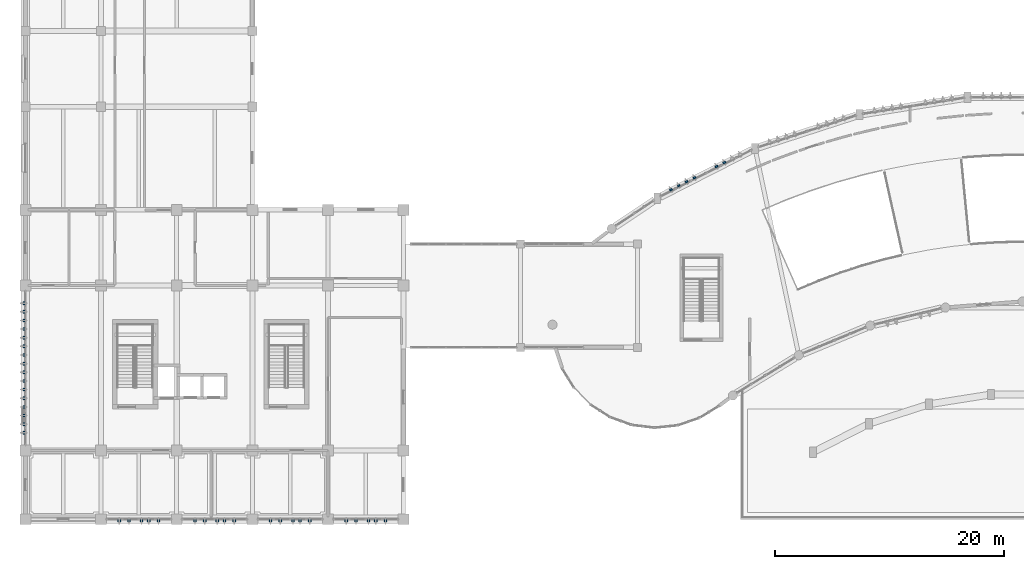
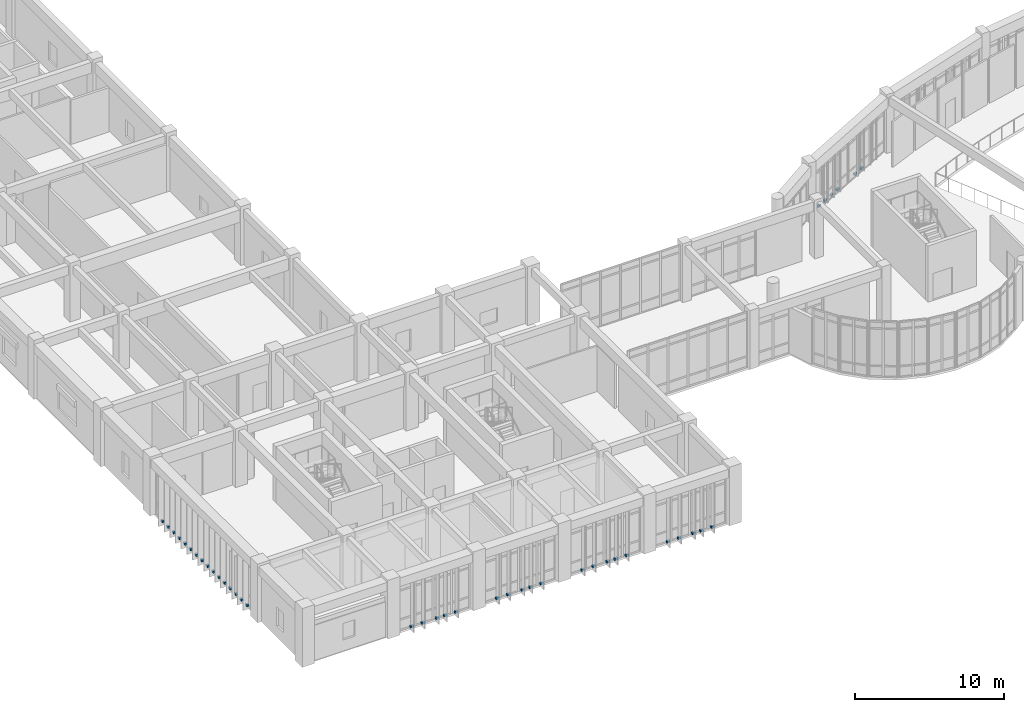
# One storey, part 56 of 65: 42 discrete accessories.
"""IFC4 building model written with IfcOpenShell, lengths in metres."""

from ifc_helpers import new_model, si_unit, direction, frame, origin, origin_2d, place, context, subcontext, project, spatial, rectangle, extrude, material, type_object, element, save


model = new_model("IFC4")

# Units and contexts
model_context = context("Model", 3, precision=1e-05, world=origin(), true_north=direction((0.0, 1.0)))
body_context = subcontext(model_context, "Body", "Model", "MODEL_VIEW")
ifc_project = project(units=[si_unit("LENGTHUNIT", "METRE"), si_unit("AREAUNIT", "SQUARE_METRE"), si_unit("VOLUMEUNIT", "CUBIC_METRE"), si_unit("PLANEANGLEUNIT", "RADIAN"), si_unit("MASSUNIT", "GRAM", prefix="KILO")], contexts=[model_context])

# Site, building, storey
site_placement = place(None, origin())
site = spatial("IfcSite", under=ifc_project, at=site_placement, CompositionType="ELEMENT")
building_placement = place(site_placement, origin())
building = spatial("IfcBuilding", under=site, at=building_placement, Name="Miralva Faculty of Natural Sciences", CompositionType="ELEMENT")
storey_placement = place(building_placement, frame((0.0, 0.0, 10.199951171875)))
storey = spatial("IfcBuildingStorey", under=building, at=storey_placement, Name="L02", CompositionType="ELEMENT", Elevation=10.199951171875)

# Discrete accessories
ifc_material = material(Name="Steel S355", Category="steel")
discrete_accessory_type = type_object("IfcDiscreteAccessoryType", Name="ACC-BRK01", PredefinedType="BRACKET", material=ifc_material)
for number, where, z_axis, x_axis, name in (
    (1, (59.319580078125, 31.753173828125, 0.0400390625), (0.0, 0.0, 1.0), (-0.45399049974, 0.891006524188, 0.0), "Solar fin bracket L02-37"),
    (2, (60.003662109375, 32.1015625, 0.0400390625), (0.0, 0.0, 1.0), (-0.45399049974, 0.891006524188, 0.0), "Solar fin bracket L02-38"),
    (3, (60.6875, 32.4501953125, 0.0400390625), (0.0, 0.0, 1.0), (-0.45399049974, 0.891006524188, 0.0), "Solar fin bracket L02-39"),
    (4, (61.37158203125, 32.798583984375, 0.0400390625), (0.0, 0.0, 1.0), (-0.45399049974, 0.891006524188, 0.0), "Solar fin bracket L02-40"),
    (5, (63.29931640625, 33.781005859375, 0.0400390625), (0.0, 0.0, 1.0), (-0.45399049974, 0.891006524188, 0.0), "Solar fin bracket L02-41"),
    (6, (63.984375, 34.1298828125, 0.0400390625), (0.0, 0.0, 1.0), (-0.45399049974, 0.891006524188, 0.0), "Solar fin bracket L02-42"),
    (7, (11.18310546875, 2.8798828125, 0.0400390625), (0.0, 0.0, 1.0), (0.0, -1.0, 0.0), "Solar fin bracket L02-225"),
    (8, (12.0390625, 2.8798828125, 0.0400390625), (0.0, 0.0, 1.0), (0.0, -1.0, 0.0), "Solar fin bracket L02-226"),
    (9, (13.135009765625, 2.8798828125, 0.0400390625), (0.0, 0.0, 1.0), (0.0, -1.0, 0.0), "Solar fin bracket L02-227"),
    (10, (13.7509765625, 2.8798828125, 0.0400390625), (0.0, 0.0, 1.0), (0.0, -1.0, 0.0), "Solar fin bracket L02-228"),
    (11, (14.60693359375, 2.8798828125, 0.0400390625), (0.0, 0.0, 1.0), (0.0, -1.0, 0.0), "Solar fin bracket L02-229"),
    (12, (17.783935546875, 2.8798828125, 0.0400390625), (0.0, 0.0, 1.0), (0.0, -1.0, 0.0), "Solar fin bracket L02-230"),
    (13, (18.64208984375, 2.8798828125, 0.0400390625), (0.0, 0.0, 1.0), (0.0, -1.0, 0.0), "Solar fin bracket L02-231"),
    (14, (19.739990234375, 2.8798828125, 0.0400390625), (0.0, 0.0, 1.0), (0.0, -1.0, 0.0), "Solar fin bracket L02-232"),
    (15, (20.35791015625, 2.8798828125, 0.0400390625), (0.0, 0.0, 1.0), (0.0, -1.0, 0.0), "Solar fin bracket L02-233"),
    (16, (21.216064453125, 2.8798828125, 0.0400390625), (0.0, 0.0, 1.0), (0.0, -1.0, 0.0), "Solar fin bracket L02-234"),
    (17, (24.383056640625, 2.8798828125, 0.0400390625), (0.0, 0.0, 1.0), (0.0, -1.0, 0.0), "Solar fin bracket L02-235"),
    (18, (25.239013671875, 2.8798828125, 0.0400390625), (0.0, 0.0, 1.0), (0.0, -1.0, 0.0), "Solar fin bracket L02-236"),
    (19, (26.3349609375, 2.8798828125, 0.0400390625), (0.0, 0.0, 1.0), (0.0, -1.0, 0.0), "Solar fin bracket L02-237"),
    (20, (26.950927734375, 2.8798828125, 0.0400390625), (0.0, 0.0, 1.0), (0.0, -1.0, 0.0), "Solar fin bracket L02-238"),
    (21, (27.806884765625, 2.8798828125, 0.0400390625), (0.0, 0.0, 1.0), (0.0, -1.0, 0.0), "Solar fin bracket L02-239"),
    (22, (30.98388671875, 2.8798828125, 0.0400390625), (0.0, 0.0, 1.0), (0.0, -1.0, 0.0), "Solar fin bracket L02-240"),
    (23, (31.842041015625, 2.8798828125, 0.0400390625), (0.0, 0.0, 1.0), (0.0, -1.0, 0.0), "Solar fin bracket L02-241"),
    (24, (32.93994140625, 2.8798828125, 0.0400390625), (0.0, 0.0, 1.0), (0.0, -1.0, 0.0), "Solar fin bracket L02-242"),
    (25, (33.55810546875, 2.8798828125, 0.0400390625), (0.0, 0.0, 1.0), (0.0, -1.0, 0.0), "Solar fin bracket L02-243"),
    (26, (34.416015625, 2.8798828125, 0.0400390625), (0.0, 0.0, 1.0), (0.0, -1.0, 0.0), "Solar fin bracket L02-244"),
    (27, (2.8798828125, 10.542236328125, 0.0400390625), (0.0, 0.0, 1.0), (-1.0, 0.0, 0.0), "Solar fin bracket L02-245"),
    (28, (2.8798828125, 11.296630859375, 0.0400390625), (0.0, 0.0, 1.0), (-1.0, 0.0, 0.0), "Solar fin bracket L02-246"),
    (29, (2.8798828125, 12.05078125, 0.0400390625), (0.0, 0.0, 1.0), (-1.0, 0.0, 0.0), "Solar fin bracket L02-247"),
    (30, (2.8798828125, 12.805419921875, 0.0400390625), (0.0, 0.0, 1.0), (-1.0, 0.0, 0.0), "Solar fin bracket L02-248"),
    (31, (2.8798828125, 13.559814453125, 0.0400390625), (0.0, 0.0, 1.0), (-1.0, 0.0, 0.0), "Solar fin bracket L02-249"),
    (32, (2.8798828125, 14.314208984375, 0.0400390625), (0.0, 0.0, 1.0), (-1.0, 0.0, 0.0), "Solar fin bracket L02-250"),
    (33, (2.8798828125, 15.068359375, 0.0400390625), (0.0, 0.0, 1.0), (-1.0, 0.0, 0.0), "Solar fin bracket L02-251"),
    (34, (2.8798828125, 15.82275390625, 0.0400390625), (0.0, 0.0, 1.0), (-1.0, 0.0, 0.0), "Solar fin bracket L02-252"),
    (35, (2.8798828125, 16.5771484375, 0.0400390625), (0.0, 0.0, 1.0), (-1.0, 0.0, 0.0), "Solar fin bracket L02-253"),
    (36, (2.8798828125, 17.33154296875, 0.0400390625), (0.0, 0.0, 1.0), (-1.0, 0.0, 0.0), "Solar fin bracket L02-254"),
    (37, (2.8798828125, 18.0859375, 0.0400390625), (0.0, 0.0, 1.0), (-1.0, 0.0, 0.0), "Solar fin bracket L02-255"),
    (38, (2.8798828125, 18.84033203125, 0.0400390625), (0.0, 0.0, 1.0), (-1.0, 0.0, 0.0), "Solar fin bracket L02-256"),
    (39, (2.8798828125, 19.5947265625, 0.0400390625), (0.0, 0.0, 1.0), (-1.0, 0.0, 0.0), "Solar fin bracket L02-257"),
    (40, (2.8798828125, 20.34912109375, 0.0400390625), (0.0, 0.0, 1.0), (-1.0, 0.0, 0.0), "Solar fin bracket L02-258"),
    (41, (2.8798828125, 21.103515625, 0.0400390625), (0.0, 0.0, 1.0), (-1.0, 0.0, 0.0), "Solar fin bracket L02-259"),
    (42, (2.8798828125, 21.85791015625, 0.0400390625), (0.0, 0.0, 1.0), (-1.0, 0.0, 0.0), "Solar fin bracket L02-260"),
):
    element("IfcDiscreteAccessory", number, at=place(storey_placement, frame(where, z_axis=z_axis, x_axis=x_axis)), inside=storey, type_object=discrete_accessory_type, Name=name, PredefinedType="BRACKET", context=body_context, shape_type="SweptSolid", body=[
        extrude(rectangle(XDim=0.159912109375, YDim=0.239990234375, at=origin_2d()), origin(), (0.0, 0.0, 1.0), 0.159912109375),
    ])

save(model, "model.ifc")
